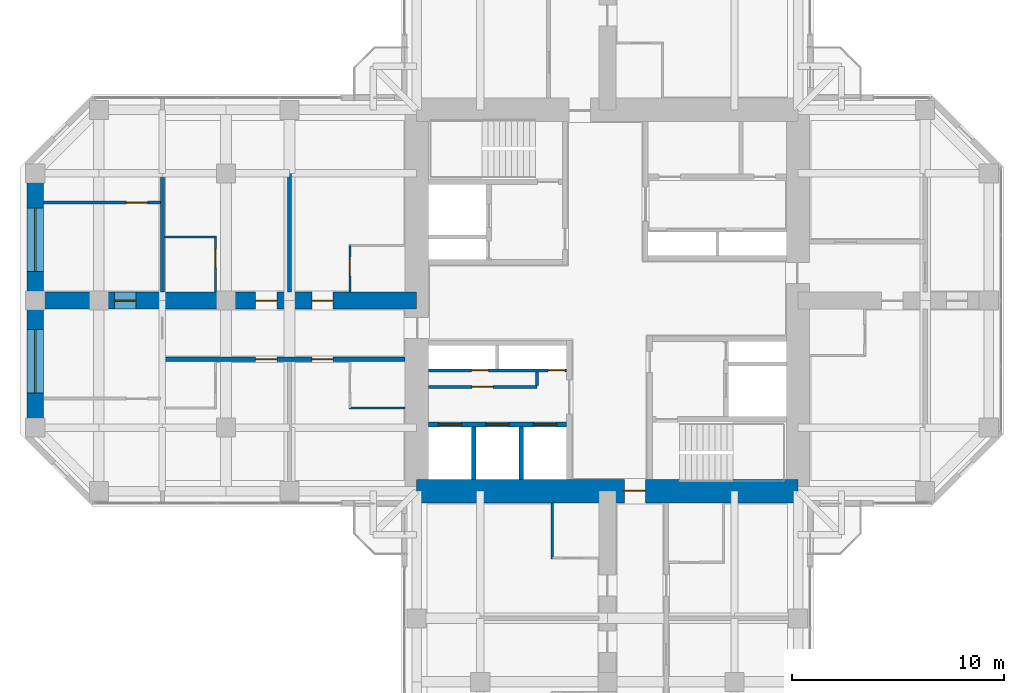
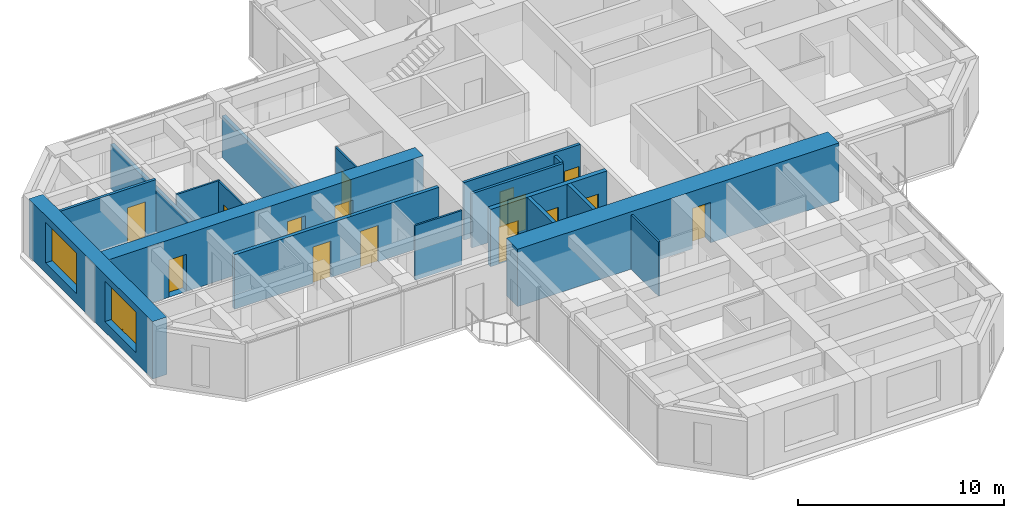
# One storey, part 9 of 13: 18 walls, 15 doors, 2 windows, 17 openings.
"""IFC4 building model written with IfcOpenShell, lengths in metres."""

from ifc_helpers import new_model, si_unit, direction, frame, frame_2d, origin, place, context, subcontext, project, spatial, rectangle, hollow_rectangle, extrude, material, layer, layer_set, constituent, constituent_set, type_object, element, fill, save


model = new_model("IFC4")

# Units and contexts
model_context = context("Model", 3, precision=1e-05, world=origin(), true_north=direction((0.0, 1.0)))
body_context = subcontext(model_context, "Body", "Model", "MODEL_VIEW")
ifc_project = project(units=[si_unit("LENGTHUNIT", "METRE"), si_unit("AREAUNIT", "SQUARE_METRE"), si_unit("VOLUMEUNIT", "CUBIC_METRE"), si_unit("PLANEANGLEUNIT", "RADIAN"), si_unit("MASSUNIT", "GRAM", prefix="KILO")], contexts=[model_context])

# Site, building, storey
site_placement = place(None, origin())
site = spatial("IfcSite", under=ifc_project, at=site_placement, CompositionType="ELEMENT")
building_placement = place(site_placement, origin())
building = spatial("IfcBuilding", under=site, at=building_placement, Name="Torre Cruceta", CompositionType="ELEMENT")
storey_placement = place(building_placement, frame((0.0, 0.0, 196.699951171875)))
storey = spatial("IfcBuildingStorey", under=building, at=storey_placement, Name="L49", CompositionType="ELEMENT", Elevation=196.699951171875)

# Walls
ifc_material_1 = material(Name="Water-resistant plasterboard on steel studs", Category="steel")
ifc_layer_1 = layer(ifc_material_1, 0.10009765625)
ifc_layer_set_1 = layer_set([ifc_layer_1], Name="Water-resistant plasterboard on steel studs")
wall_type_1 = type_object("IfcWallType", Name="BATHROOM WALL 100", PredefinedType="PARTITIONING", material=ifc_layer_set_1)
for number, where, z_axis, x_axis, name in (
    (1, (-2.60009765625, -9.550048828125, 0.0), (0.0, 0.0, 1.0), (0.0, -1.0, 0.0), "PT4 L49-S-U1RBB"),
    (2, (-9.550048828125, -5.074951171875, 0.0), (0.0, 0.0, 1.0), (-1.0, 0.0, 0.0), "PT4 L49-W-U1LBB"),
):
    element("IfcWall", number, at=place(storey_placement, frame(where, z_axis=z_axis, x_axis=x_axis)), inside=storey, type_object=wall_type_1, Name=name, PredefinedType="PARTITIONING", context=body_context, shape_type="SweptSolid", body=[
        extrude(rectangle(XDim=2.64990234375, YDim=0.10009765625, at=frame_2d((1.324951171875, 0.0))), origin(), (0.0, 0.0, 1.0), 3.219970703125),
    ])

# Wall, opening, door
wall_1_placement = place(storey_placement, frame((-12.14990234375, 2.60009765625, 0.0), z_axis=(0.0, 0.0, 1.0), x_axis=(0.0, -1.0, 0.0)))
wall_1 = element("IfcWall", 3, at=wall_1_placement, inside=storey, type_object=wall_type_1, Name="PT4 L49-W-U1RBS", PredefinedType="PARTITIONING", context=body_context, shape_type="SweptSolid", body=[
    extrude(rectangle(XDim=2.2001953125, YDim=0.10009765625, at=frame_2d((1.10009765625, 0.0))), origin(), (0.0, 0.0, 1.0), 3.219970703125),
])
opening_1_placement = place(wall_1_placement, frame((0.550048828125, 0.0, 0.0)))
opening_1 = element("IfcOpeningElement", 4, at=opening_1_placement, cuts=wall_1, Name="Opening D7", PredefinedType="OPENING", context=body_context, shape_type="SweptSolid", body=[
    extrude(rectangle(XDim=0.89990234375, YDim=2.10009765625, at=frame_2d((0.449951171875, 1.050048828125))), frame((0.0, 0.06005859375, 0.0), z_axis=(0.0, -1.0, 0.0), x_axis=(1.0, 0.0, 0.0)), (0.0, 0.0, 1.0), 0.1201171875),
])
ifc_material_2 = material(Name="Timber door", Category="wood")
door_type_1 = type_object("IfcDoorType", Name="BATHROOM DOOR 900X2100", OperationType="SINGLE_SWING_LEFT", PredefinedType="DOOR", material=ifc_material_2)
door_1_placement = place(opening_1_placement, origin())
door_1 = element("IfcDoor", 5, at=door_1_placement, inside=storey, type_object=door_type_1, Name="D7 L49-W-U1RBS-D1", OperationType="SINGLE_SWING_LEFT", OverallHeight=2.10009765625, OverallWidth=0.89990234375, PredefinedType="DOOR", context=body_context, shape_type="SweptSolid", body=[
    extrude(rectangle(XDim=0.89990234375, YDim=2.10009765625, at=frame_2d((0.449951171875, 1.050048828125))), frame((0.0, 0.02490234375, 0.0), z_axis=(0.0, -1.0, 0.0), x_axis=(1.0, 0.0, 0.0)), (0.0, 0.0, 1.0), 0.050048828125),
])
fill(opening_1, door_1)

# Wall
wall_2_placement = place(storey_placement, frame((-18.449951171875, 3.0, 0.0), z_axis=(0.0, 0.0, 1.0), x_axis=(-1.0, 0.0, 0.0)))
element("IfcWall", 6, at=wall_2_placement, inside=storey, type_object=wall_type_1, Name="PT4 L49-W-U2RBB", PredefinedType="PARTITIONING", context=body_context, shape_type="SweptSolid", body=[
    extrude(rectangle(XDim=2.449951171875, YDim=0.10009765625, at=frame_2d((1.22509765625, 0.0))), origin(), (0.0, 0.0, 1.0), 3.219970703125),
])

# Wall, opening, door
wall_3_placement = place(storey_placement, frame((-18.5, 3.0, 0.0), z_axis=(0.0, 0.0, 1.0), x_axis=(0.0, -1.0, 0.0)))
wall_3 = element("IfcWall", 7, at=wall_3_placement, inside=storey, type_object=wall_type_1, Name="PT4 L49-W-U2RBS", PredefinedType="PARTITIONING", context=body_context, shape_type="SweptSolid", body=[
    extrude(rectangle(XDim=2.60009765625, YDim=0.10009765625, at=frame_2d((1.300048828125, 0.0))), origin(), (0.0, 0.0, 1.0), 3.219970703125),
])
opening_2_placement = place(wall_3_placement, frame((0.550048828125, 0.0, 0.0)))
opening_2 = element("IfcOpeningElement", 8, at=opening_2_placement, cuts=wall_3, Name="Opening D7", PredefinedType="OPENING", context=body_context, shape_type="SweptSolid", body=[
    extrude(rectangle(XDim=0.89990234375, YDim=2.10009765625, at=frame_2d((0.449951171875, 1.050048828125))), frame((0.0, 0.06005859375, 0.0), z_axis=(0.0, -1.0, 0.0), x_axis=(1.0, 0.0, 0.0)), (0.0, 0.0, 1.0), 0.1201171875),
])
door_2_placement = place(opening_2_placement, frame((0.89990234375, 0.0, 0.0), z_axis=(0.0, 0.0, 1.0), x_axis=(-1.0, 0.0, 0.0)))
door_2 = element("IfcDoor", 9, at=door_2_placement, inside=storey, type_object=door_type_1, Name="D7 L49-W-U2RBS-D1", OperationType="SINGLE_SWING_RIGHT", OverallHeight=2.10009765625, OverallWidth=0.89990234375, PredefinedType="DOOR", context=body_context, shape_type="SweptSolid", body=[
    extrude(rectangle(XDim=0.89990234375, YDim=2.10009765625, at=frame_2d((0.449951171875, 1.050048828125))), frame((0.0, 0.025146484375, 0.0), z_axis=(0.0, -1.0, 0.0), x_axis=(1.0, 0.0, 0.0)), (0.0, 0.0, 1.0), 0.050048828125),
])
fill(opening_2, door_2)

# Wall, openings, doors
ifc_material_3 = material(Name="Concrete G60 (fck 60 MPa)", Category="concrete")
ifc_layer_2 = layer(ifc_material_3, 0.25)
ifc_layer_set_2 = layer_set([ifc_layer_2], Name="Concrete G60 (fck 60 MPa)")
wall_type_2 = type_object("IfcWallType", Name="CORE INNER WALL 250 G60", PredefinedType="SHEAR", material=ifc_layer_set_2)
wall_4_placement = place(storey_placement, frame((-1.925048828125, -5.85009765625, 0.0), z_axis=(0.0, 0.0, 1.0), x_axis=(-1.0, 0.0, 0.0)))
wall_4 = element("IfcWall", 10, at=wall_4_placement, inside=storey, type_object=wall_type_2, Name="CW4 L49 SW-LV", PredefinedType="SHEAR", context=body_context, shape_type="SweptSolid", body=[
    extrude(rectangle(XDim=6.52490234375, YDim=0.25, at=frame_2d((3.262451171875, 0.0))), origin(), (0.0, 0.0, 1.0), 3.400146484375),
])
opening_3_placement = place(wall_4_placement, frame((0.470947265625, 0.0, 0.0)))
opening_3 = element("IfcOpeningElement", 11, at=opening_3_placement, cuts=wall_4, Name="Opening LD1", PredefinedType="OPENING", context=body_context, shape_type="SweptSolid", body=[
    extrude(rectangle(XDim=1.10009765625, YDim=2.199951171875, at=frame_2d((0.550048828125, 1.10009765625))), frame((0.0, 0.135009765625, 0.0), z_axis=(0.0, -1.0, 0.0), x_axis=(1.0, 0.0, 0.0)), (0.0, 0.0, 1.0), 0.27001953125),
])
opening_4_placement = place(wall_4_placement, frame((2.71240234375, 0.0, 0.0)))
opening_4 = element("IfcOpeningElement", 12, at=opening_4_placement, cuts=wall_4, Name="Opening LD1", PredefinedType="OPENING", context=body_context, shape_type="SweptSolid", body=[
    extrude(rectangle(XDim=1.10009765625, YDim=2.199951171875, at=frame_2d((0.550048828125, 1.10009765625))), frame((0.0, 0.135009765625, 0.0), z_axis=(0.0, -1.0, 0.0), x_axis=(1.0, 0.0, 0.0)), (0.0, 0.0, 1.0), 0.27001953125),
])
opening_5_placement = place(wall_4_placement, frame((4.9541015625, 0.0, 0.0)))
opening_5 = element("IfcOpeningElement", 13, at=opening_5_placement, cuts=wall_4, Name="Opening LD1", PredefinedType="OPENING", context=body_context, shape_type="SweptSolid", body=[
    extrude(rectangle(XDim=1.10009765625, YDim=2.199951171875, at=frame_2d((0.550048828125, 1.10009765625))), frame((0.0, 0.135009765625, 0.0), z_axis=(0.0, -1.0, 0.0), x_axis=(1.0, 0.0, 0.0)), (0.0, 0.0, 1.0), 0.27001953125),
])
ifc_material_4 = material(Name="Stainless steel 1.4401", Category="steel")
door_type_2 = type_object("IfcDoorType", Name="LIFT LANDING DOOR 1100X2200", OperationType="DOUBLE_DOOR_SLIDING", PredefinedType="DOOR", material=ifc_material_4)
door_3_placement = place(opening_3_placement, origin())
door_3 = element("IfcDoor", 14, at=door_3_placement, inside=storey, type_object=door_type_2, Name="Lift landing door R1", OperationType="DOUBLE_DOOR_SLIDING", OverallHeight=2.199951171875, OverallWidth=1.10009765625, PredefinedType="DOOR", context=body_context, shape_type="SweptSolid", body=[
    extrude(rectangle(XDim=1.10009765625, YDim=2.199951171875, at=frame_2d((0.550048828125, 1.10009765625))), frame((0.0, 0.02490234375, 0.0), z_axis=(0.0, -1.0, 0.0), x_axis=(1.0, 0.0, 0.0)), (0.0, 0.0, 1.0), 0.050048828125),
])
fill(opening_3, door_3)
door_4_placement = place(opening_4_placement, origin())
door_4 = element("IfcDoor", 15, at=door_4_placement, inside=storey, type_object=door_type_2, Name="Lift landing door R2", OperationType="DOUBLE_DOOR_SLIDING", OverallHeight=2.199951171875, OverallWidth=1.10009765625, PredefinedType="DOOR", context=body_context, shape_type="SweptSolid", body=[
    extrude(rectangle(XDim=1.10009765625, YDim=2.199951171875, at=frame_2d((0.550048828125, 1.10009765625))), frame((0.0, 0.02490234375, 0.0), z_axis=(0.0, -1.0, 0.0), x_axis=(1.0, 0.0, 0.0)), (0.0, 0.0, 1.0), 0.050048828125),
])
fill(opening_4, door_4)
door_5_placement = place(opening_5_placement, origin())
door_5 = element("IfcDoor", 16, at=door_5_placement, inside=storey, type_object=door_type_2, Name="Lift landing door R3", OperationType="DOUBLE_DOOR_SLIDING", OverallHeight=2.199951171875, OverallWidth=1.10009765625, PredefinedType="DOOR", context=body_context, shape_type="SweptSolid", body=[
    extrude(rectangle(XDim=1.10009765625, YDim=2.199951171875, at=frame_2d((0.550048828125, 1.10009765625))), frame((0.0, 0.02490234375, 0.0), z_axis=(0.0, -1.0, 0.0), x_axis=(1.0, 0.0, 0.0)), (0.0, 0.0, 1.0), 0.050048828125),
])
fill(opening_5, door_5)

# Wall, opening, door
ifc_material_5 = material(Name="Concrete G60 (fck 60 MPa)", Category="concrete")
ifc_layer_3 = layer(ifc_material_5, 1.10009765625)
ifc_layer_set_3 = layer_set([ifc_layer_3], Name="Concrete G60 (fck 60 MPa)")
wall_type_3 = type_object("IfcWallType", Name="CORE WALL 1100 G60", PredefinedType="SHEAR", material=ifc_layer_set_3)
wall_5_placement = place(storey_placement, frame((-9.0, -9.0, 0.0), z_axis=(0.0, 0.0, 1.0), x_axis=(1.0, 0.0, 0.0)))
wall_5 = element("IfcWall", 17, at=wall_5_placement, inside=storey, type_object=wall_type_3, Name="CW2 L49 CW-S", PredefinedType="SHEAR", context=body_context, shape_type="SweptSolid", body=[
    extrude(rectangle(XDim=18.0, YDim=1.10009765625, at=frame_2d((9.0, 0.0))), origin(), (0.0, 0.0, 1.0), 3.400146484375),
])
opening_6_placement = place(wall_5_placement, frame((9.800048828125, 0.0, 0.0)))
opening_6 = element("IfcOpeningElement", 18, at=opening_6_placement, cuts=wall_5, Name="Opening D4", PredefinedType="OPENING", context=body_context, shape_type="SweptSolid", body=[
    extrude(rectangle(XDim=1.0, YDim=2.39990234375, at=frame_2d((0.5, 1.199951171875))), frame((0.0, 0.56005859375, 0.0), z_axis=(0.0, -1.0, 0.0), x_axis=(1.0, 0.0, 0.0)), (0.0, 0.0, 1.0), 1.1201171875),
])
ifc_material_6 = material(Name="Steel DX51D", Category="steel")
ifc_constituent_1 = constituent(ifc_material_6, Name="Leaf and frame")
ifc_material_7 = material(Name="Polyester powder coating", Category="paint")
ifc_constituent_2 = constituent(ifc_material_7, Name="Finish")
ifc_constituent_set_1 = constituent_set(constituents=[ifc_constituent_1, ifc_constituent_2], Name="Steel fire door")
door_type_3 = type_object("IfcDoorType", Name="CORE ARM DOOR 1000X2400", OperationType="SINGLE_SWING_RIGHT", PredefinedType="DOOR", material=ifc_constituent_set_1)
door_6_placement = place(opening_6_placement, origin())
door_6 = element("IfcDoor", 19, at=door_6_placement, inside=storey, type_object=door_type_3, Name="D4 L49 CW-S", OperationType="SINGLE_SWING_RIGHT", OverallHeight=2.39990234375, OverallWidth=1.0, PredefinedType="DOOR", context=body_context, shape_type="SweptSolid", body=[
    extrude(rectangle(XDim=1.0, YDim=2.39990234375, at=frame_2d((0.5, 1.199951171875))), frame((0.0, 0.05517578125, 0.0), z_axis=(0.0, -1.0, 0.0), x_axis=(1.0, 0.0, 0.0)), (0.0, 0.0, 1.0), 0.050048828125),
])
fill(opening_6, door_6)

# Wall, openings, doors
ifc_material_8 = material(Name="Concrete G25 (fck 25 MPa)", Category="concrete")
ifc_layer_4 = layer(ifc_material_8, 0.199951171875)
ifc_layer_set_4 = layer_set([ifc_layer_4], Name="Concrete G25 (fck 25 MPa)")
wall_type_4 = type_object("IfcWallType", Name="CORRIDOR WALL 200", PredefinedType="SOLIDWALL", material=ifc_layer_set_4)
wall_6_placement = place(storey_placement, frame((-9.550048828125, -2.77490234375, 0.0), z_axis=(0.0, 0.0, 1.0), x_axis=(-1.0, 0.0, 0.0)))
wall_6 = element("IfcWall", 20, at=wall_6_placement, inside=storey, type_object=wall_type_4, Name="PT3 L49-W-CL", PredefinedType="SOLIDWALL", context=body_context, shape_type="SweptSolid", body=[
    extrude(rectangle(XDim=11.449951171875, YDim=0.199951171875, at=frame_2d((5.72509765625, 0.0))), origin(), (0.0, 0.0, 1.0), 3.219970703125),
])
opening_7_placement = place(wall_6_placement, frame((3.39990234375, 0.0, 0.0)))
opening_7 = element("IfcOpeningElement", 21, at=opening_7_placement, cuts=wall_6, Name="Opening D6", PredefinedType="OPENING", context=body_context, shape_type="SweptSolid", body=[
    extrude(rectangle(XDim=1.0, YDim=2.14990234375, at=frame_2d((0.5, 1.074951171875))), frame((0.0, 0.10986328125, 0.0), z_axis=(0.0, -1.0, 0.0), x_axis=(1.0, 0.0, 0.0)), (0.0, 0.0, 1.0), 0.219970703125),
])
opening_8_placement = place(wall_6_placement, frame((6.050048828125, 0.0, 0.0)))
opening_8 = element("IfcOpeningElement", 22, at=opening_8_placement, cuts=wall_6, Name="Opening D6", PredefinedType="OPENING", context=body_context, shape_type="SweptSolid", body=[
    extrude(rectangle(XDim=1.0, YDim=2.14990234375, at=frame_2d((0.5, 1.074951171875))), frame((0.0, 0.10986328125, 0.0), z_axis=(0.0, -1.0, 0.0), x_axis=(1.0, 0.0, 0.0)), (0.0, 0.0, 1.0), 0.219970703125),
])
ifc_material_9 = material(Name="Timber fire door", Category="wood")
door_type_4 = type_object("IfcDoorType", Name="UNIT ENTRANCE DOOR 1000X2150", OperationType="SINGLE_SWING_LEFT", PredefinedType="DOOR", material=ifc_material_9)
door_7_placement = place(opening_7_placement, origin())
door_7 = element("IfcDoor", 23, at=door_7_placement, inside=storey, type_object=door_type_4, Name="D6 L49-W-CL-D1", OperationType="SINGLE_SWING_LEFT", OverallHeight=2.14990234375, OverallWidth=1.0, PredefinedType="DOOR", context=body_context, shape_type="SweptSolid", body=[
    extrude(rectangle(XDim=1.0, YDim=2.14990234375, at=frame_2d((0.5, 1.074951171875))), frame((0.0, 0.02490234375, 0.0), z_axis=(0.0, -1.0, 0.0), x_axis=(1.0, 0.0, 0.0)), (0.0, 0.0, 1.0), 0.050048828125),
])
fill(opening_7, door_7)
door_8_placement = place(opening_8_placement, origin())
door_8 = element("IfcDoor", 24, at=door_8_placement, inside=storey, type_object=door_type_4, Name="D6 L49-W-CL-D2", OperationType="SINGLE_SWING_LEFT", OverallHeight=2.14990234375, OverallWidth=1.0, PredefinedType="DOOR", context=body_context, shape_type="SweptSolid", body=[
    extrude(rectangle(XDim=1.0, YDim=2.14990234375, at=frame_2d((0.5, 1.074951171875))), frame((0.0, 0.02490234375, 0.0), z_axis=(0.0, -1.0, 0.0), x_axis=(1.0, 0.0, 0.0)), (0.0, 0.0, 1.0), 0.050048828125),
])
fill(opening_8, door_8)

# Walls
ifc_material_10 = material(Name="Concrete G35 (fck 35 MPa)", Category="concrete")
ifc_layer_5 = layer(ifc_material_10, 0.199951171875)
ifc_layer_set_5 = layer_set([ifc_layer_5], Name="Concrete G35 (fck 35 MPa)")
wall_type_5 = type_object("IfcWallType", Name="LIFT SHAFT WALL 200", PredefinedType="PARTITIONING", material=ifc_layer_set_5)
for number, where, z_axis, x_axis, name in (
    (25, (-4.066650390625, -5.97509765625, 0.0), (0.0, 0.0, 1.0), (0.0, -1.0, 0.0), "SW1 L49 SW-LS1"),
    (26, (-6.308349609375, -5.97509765625, 0.0), (0.0, 0.0, 1.0), (0.0, -1.0, 0.0), "SW1 L49 SW-LS2"),
):
    element("IfcWall", number, at=place(storey_placement, frame(where, z_axis=z_axis, x_axis=x_axis)), inside=storey, type_object=wall_type_5, Name=name, PredefinedType="PARTITIONING", context=body_context, shape_type="SweptSolid", body=[
        extrude(rectangle(XDim=2.474853515625, YDim=0.199951171875, at=frame_2d((1.2373046875, 0.0))), origin(), (0.0, 0.0, 1.0), 3.400146484375),
    ])

# Wall, openings, windows
ifc_material_11 = material(Name="Concrete G60 (fck 60 MPa)", Category="concrete")
ifc_layer_6 = layer(ifc_material_11, 0.800048828125)
ifc_layer_set_6 = layer_set([ifc_layer_6], Name="Concrete G60 (fck 60 MPa)")
wall_type_6 = type_object("IfcWallType", Name="NOSE WALL 800 G60", PredefinedType="SHEAR", material=ifc_layer_set_6)
wall_7_placement = place(storey_placement, frame((-27.0, 6.0, 0.0), z_axis=(0.0, 0.0, 1.0), x_axis=(0.0, -1.0, 0.0)))
wall_7 = element("IfcWall", 27, at=wall_7_placement, inside=storey, type_object=wall_type_6, Name="NW2 nose wall L49 W", PredefinedType="SHEAR", context=body_context, shape_type="SweptSolid", body=[
    extrude(rectangle(XDim=12.0, YDim=0.800048828125, at=frame_2d((6.0, 0.0))), origin(), (0.0, 0.0, 1.0), 3.400146484375),
])
opening_9_placement = place(wall_7_placement, frame((1.625, 0.0, 0.60009765625)))
opening_9 = element("IfcOpeningElement", 28, at=opening_9_placement, cuts=wall_7, Name="Opening WN6", PredefinedType="OPENING", context=body_context, shape_type="SweptSolid", body=[
    extrude(rectangle(XDim=3.0, YDim=2.39990234375, at=frame_2d((1.5, 1.199951171875))), frame((0.0, 0.409912109375, 0.0), z_axis=(0.0, -1.0, 0.0), x_axis=(1.0, 0.0, 0.0)), (0.0, 0.0, 1.0), 0.820068359375),
])
opening_10_placement = place(wall_7_placement, frame((7.375, 0.0, 0.60009765625)))
opening_10 = element("IfcOpeningElement", 29, at=opening_10_placement, cuts=wall_7, Name="Opening WN6", PredefinedType="OPENING", context=body_context, shape_type="SweptSolid", body=[
    extrude(rectangle(XDim=3.0, YDim=2.39990234375, at=frame_2d((1.5, 1.199951171875))), frame((0.0, 0.409912109375, 0.0), z_axis=(0.0, -1.0, 0.0), x_axis=(1.0, 0.0, 0.0)), (0.0, 0.0, 1.0), 0.820068359375),
])
ifc_material_12 = material(Name="Aluminium window frame", Category="aluminium")
ifc_constituent_3 = constituent(ifc_material_12, Name="Frame")
ifc_material_13 = material(Name="Laminated insulating glass unit, low-iron clear", Category="glass")
ifc_constituent_4 = constituent(ifc_material_13, Name="Glazing")
ifc_constituent_set_2 = constituent_set(constituents=[ifc_constituent_3, ifc_constituent_4], Name="Aluminium window")
window_type = type_object("IfcWindowType", Name="NOSE WALL WINDOW 3000X2400", PartitioningType="SINGLE_PANEL", PredefinedType="WINDOW", material=ifc_constituent_set_2)
window_1_placement = place(opening_9_placement, origin())
window_1 = element("IfcWindow", 30, at=window_1_placement, inside=storey, type_object=window_type, Name="WN6 L49 W 1", OverallHeight=2.39990234375, OverallWidth=3.0, PartitioningType="SINGLE_PANEL", PredefinedType="WINDOW", context=body_context, shape_type="SweptSolid", body=[
    extrude(hollow_rectangle(XDim=3.0, YDim=2.39990234375, WallThickness=0.06005859375, at=frame_2d((1.5, 1.199951171875))), frame((0.0, 0.030029296875, 0.0), z_axis=(0.0, -1.0, 0.0), x_axis=(1.0, 0.0, 0.0)), (0.0, 0.0, 1.0), 0.06005859375),
    extrude(rectangle(XDim=2.87890625, YDim=2.27880859375, at=frame_2d((1.5, 1.199951171875))), frame((0.0, 0.030029296875, 0.0), z_axis=(0.0, -1.0, 0.0), x_axis=(1.0, 0.0, 0.0)), (0.0, 0.0, 1.0), 0.06005859375),
])
fill(opening_9, window_1)
window_2_placement = place(opening_10_placement, origin())
window_2 = element("IfcWindow", 31, at=window_2_placement, inside=storey, type_object=window_type, Name="WN6 L49 W 2", OverallHeight=2.39990234375, OverallWidth=3.0, PartitioningType="SINGLE_PANEL", PredefinedType="WINDOW", context=body_context, shape_type="SweptSolid", body=[
    extrude(hollow_rectangle(XDim=3.0, YDim=2.39990234375, WallThickness=0.06005859375, at=frame_2d((1.5, 1.199951171875))), frame((0.0, 0.030029296875, 0.0), z_axis=(0.0, -1.0, 0.0), x_axis=(1.0, 0.0, 0.0)), (0.0, 0.0, 1.0), 0.06005859375),
    extrude(rectangle(XDim=2.87890625, YDim=2.27880859375, at=frame_2d((1.5, 1.199951171875))), frame((0.0, 0.030029296875, 0.0), z_axis=(0.0, -1.0, 0.0), x_axis=(1.0, 0.0, 0.0)), (0.0, 0.0, 1.0), 0.06005859375),
])
fill(opening_10, window_2)

# Wall, opening, door
ifc_material_14 = material(Name="Plasterboard on steel studs", Category="steel")
ifc_layer_7 = layer(ifc_material_14, 0.14990234375)
ifc_layer_set_7 = layer_set([ifc_layer_7], Name="Plasterboard on steel studs")
wall_type_7 = type_object("IfcWallType", Name="PARTITION 150", PredefinedType="PARTITIONING", material=ifc_layer_set_7)
wall_8_placement = place(storey_placement, frame((-3.324951171875, -4.074951171875, 0.0), z_axis=(0.0, 0.0, 1.0), x_axis=(-1.0, 0.0, 0.0)))
wall_8 = element("IfcWall", 32, at=wall_8_placement, inside=storey, type_object=wall_type_7, Name="PT1 L49-CORE-SW-CUPBOARD", PredefinedType="PARTITIONING", context=body_context, shape_type="SweptSolid", body=[
    extrude(rectangle(XDim=5.125, YDim=0.14990234375, at=frame_2d((2.5625, 0.0))), origin(), (0.0, 0.0, 1.0), 3.219970703125),
])
opening_11_placement = place(wall_8_placement, frame((2.0625, 0.0, 0.0)))
opening_11 = element("IfcOpeningElement", 33, at=opening_11_placement, cuts=wall_8, Name="Opening D19", PredefinedType="OPENING", context=body_context, shape_type="SweptSolid", body=[
    extrude(rectangle(XDim=1.0, YDim=2.10009765625, at=frame_2d((0.5, 1.050048828125))), frame((0.0, 0.0849609375, 0.0), z_axis=(0.0, -1.0, 0.0), x_axis=(1.0, 0.0, 0.0)), (0.0, 0.0, 1.0), 0.169921875),
])
ifc_material_15 = material(Name="Timber fire door", Category="wood")
door_type_5 = type_object("IfcDoorType", Name="CUPBOARD PAIR OF DOORS 1000X2100", OperationType="DOUBLE_DOOR_SINGLE_SWING", PredefinedType="DOOR", material=ifc_material_15)
door_9_placement = place(opening_11_placement, frame((1.0, 0.0, 0.0), z_axis=(0.0, 0.0, 1.0), x_axis=(-1.0, 0.0, 0.0)))
door_9 = element("IfcDoor", 34, at=door_9_placement, inside=storey, type_object=door_type_5, Name="D19 L49-CORE-SW-CUPBOARD-D1", OperationType="DOUBLE_DOOR_SINGLE_SWING", OverallHeight=2.10009765625, OverallWidth=1.0, PredefinedType="DOOR", context=body_context, shape_type="SweptSolid", body=[
    extrude(rectangle(XDim=1.0, YDim=2.10009765625, at=frame_2d((0.5, 1.050048828125))), frame((0.0, 0.025146484375, 0.0), z_axis=(0.0, -1.0, 0.0), x_axis=(1.0, 0.0, 0.0)), (0.0, 0.0, 1.0), 0.050048828125),
])
fill(opening_11, door_9)

# Wall
wall_9_placement = place(storey_placement, frame((-3.324951171875, -3.375, 0.0), z_axis=(0.0, 0.0, 1.0), x_axis=(0.0, -1.0, 0.0)))
element("IfcWall", 35, at=wall_9_placement, inside=storey, type_object=wall_type_7, Name="PT1 L49-CORE-SW-CUPBOARDE", PredefinedType="PARTITIONING", context=body_context, shape_type="SweptSolid", body=[
    extrude(rectangle(XDim=0.625, YDim=0.14990234375, at=frame_2d((0.3125, 0.0))), origin(), (0.0, 0.0, 1.0), 3.219970703125),
])

# Wall, opening, door
wall_10_placement = place(storey_placement, frame((-21.10009765625, 4.625, 0.0), z_axis=(0.0, 0.0, 1.0), x_axis=(-1.0, 0.0, 0.0)))
wall_10 = element("IfcWall", 36, at=wall_10_placement, inside=storey, type_object=wall_type_7, Name="PT1 L49-W-END2X", PredefinedType="PARTITIONING", context=body_context, shape_type="SweptSolid", body=[
    extrude(rectangle(XDim=5.5, YDim=0.14990234375, at=frame_2d((2.75, 0.0))), origin(), (0.0, 0.0, 1.0), 3.219970703125),
])
opening_12_placement = place(wall_10_placement, frame((0.60009765625, 0.0, 0.0)))
opening_12 = element("IfcOpeningElement", 37, at=opening_12_placement, cuts=wall_10, Name="Opening D3", PredefinedType="OPENING", context=body_context, shape_type="SweptSolid", body=[
    extrude(rectangle(XDim=1.0, YDim=2.10009765625, at=frame_2d((0.5, 1.050048828125))), frame((0.0, 0.0849609375, 0.0), z_axis=(0.0, -1.0, 0.0), x_axis=(1.0, 0.0, 0.0)), (0.0, 0.0, 1.0), 0.169921875),
])
ifc_material_16 = material(Name="Steel DX51D", Category="steel")
ifc_constituent_5 = constituent(ifc_material_16, Name="Leaf and frame")
ifc_material_17 = material(Name="Polyester powder coating", Category="paint")
ifc_constituent_6 = constituent(ifc_material_17, Name="Finish")
ifc_constituent_set_3 = constituent_set(constituents=[ifc_constituent_5, ifc_constituent_6], Name="Steel fire door")
door_type_6 = type_object("IfcDoorType", Name="FIRE DOOR 1000X2100", OperationType="SINGLE_SWING_LEFT", PredefinedType="DOOR", material=ifc_constituent_set_3)
door_10_placement = place(opening_12_placement, frame((1.0, 0.0, 0.0), z_axis=(0.0, 0.0, 1.0), x_axis=(-1.0, 0.0, 0.0)))
door_10 = element("IfcDoor", 38, at=door_10_placement, inside=storey, type_object=door_type_6, Name="D3 L49-W-END2X-D1", OperationType="SINGLE_SWING_RIGHT", OverallHeight=2.10009765625, OverallWidth=1.0, PredefinedType="DOOR", context=body_context, shape_type="SweptSolid", body=[
    extrude(rectangle(XDim=1.0, YDim=2.10009765625, at=frame_2d((0.5, 1.050048828125))), frame((0.0, 0.025146484375, 0.0), z_axis=(0.0, -1.0, 0.0), x_axis=(1.0, 0.0, 0.0)), (0.0, 0.0, 1.0), 0.050048828125),
])
fill(opening_12, door_10)

# Wall, openings, doors
ifc_material_18 = material(Name="Concrete block masonry", Category="masonry")
ifc_layer_8 = layer(ifc_material_18, 0.14990234375)
ifc_layer_set_8 = layer_set([ifc_layer_8], Name="Concrete block masonry")
wall_type_8 = type_object("IfcWallType", Name="RISER WALL 150", PredefinedType="PARTITIONING", material=ifc_layer_set_8)
wall_11_placement = place(storey_placement, frame((-1.925048828125, -3.300048828125, 0.0), z_axis=(0.0, 0.0, 1.0), x_axis=(-1.0, 0.0, 0.0)))
wall_11 = element("IfcWall", 39, at=wall_11_placement, inside=storey, type_object=wall_type_8, Name="SW7 L49 SW-RV", PredefinedType="PARTITIONING", context=body_context, shape_type="SweptSolid", body=[
    extrude(rectangle(XDim=6.52490234375, YDim=0.14990234375, at=frame_2d((3.262451171875, 0.0))), origin(), (0.0, 0.0, 1.0), 3.400146484375),
])
opening_13_placement = place(wall_11_placement, frame((0.074951171875, 0.0, 0.0)))
opening_13 = element("IfcOpeningElement", 40, at=opening_13_placement, cuts=wall_11, Name="Opening D5", PredefinedType="OPENING", context=body_context, shape_type="SweptSolid", body=[
    extrude(rectangle(XDim=0.800048828125, YDim=2.10009765625, at=frame_2d((0.39990234375, 1.050048828125))), frame((0.0, 0.0849609375, 0.0), z_axis=(0.0, -1.0, 0.0), x_axis=(1.0, 0.0, 0.0)), (0.0, 0.0, 1.0), 0.169921875),
])
opening_14_placement = place(wall_11_placement, frame((3.675048828125, 0.0, 0.0)))
opening_14 = element("IfcOpeningElement", 41, at=opening_14_placement, cuts=wall_11, Name="Opening D5", PredefinedType="OPENING", context=body_context, shape_type="SweptSolid", body=[
    extrude(rectangle(XDim=0.800048828125, YDim=2.10009765625, at=frame_2d((0.39990234375, 1.050048828125))), frame((0.0, 0.0849609375, 0.0), z_axis=(0.0, -1.0, 0.0), x_axis=(1.0, 0.0, 0.0)), (0.0, 0.0, 1.0), 0.169921875),
])
ifc_material_19 = material(Name="Steel DX51D", Category="steel")
ifc_constituent_7 = constituent(ifc_material_19, Name="Leaf and frame")
ifc_material_20 = material(Name="Polyester powder coating", Category="paint")
ifc_constituent_8 = constituent(ifc_material_20, Name="Finish")
ifc_constituent_set_4 = constituent_set(constituents=[ifc_constituent_7, ifc_constituent_8], Name="Steel fire door")
door_type_7 = type_object("IfcDoorType", Name="RISER ACCESS DOOR 800X2100", OperationType="SINGLE_SWING_LEFT", PredefinedType="DOOR", material=ifc_constituent_set_4)
door_11_placement = place(opening_13_placement, frame((0.800048828125, 0.0, 0.0), z_axis=(0.0, 0.0, 1.0), x_axis=(-1.0, 0.0, 0.0)))
door_11 = element("IfcDoor", 42, at=door_11_placement, inside=storey, type_object=door_type_7, Name="D5 L49 SW-RISER1", OperationType="SINGLE_SWING_RIGHT", OverallHeight=2.10009765625, OverallWidth=0.800048828125, PredefinedType="DOOR", context=body_context, shape_type="SweptSolid", body=[
    extrude(rectangle(XDim=0.800048828125, YDim=2.10009765625, at=frame_2d((0.400146484375, 1.050048828125))), frame((0.0, 0.025146484375, 0.0), z_axis=(0.0, -1.0, 0.0), x_axis=(1.0, 0.0, 0.0)), (0.0, 0.0, 1.0), 0.050048828125),
])
fill(opening_13, door_11)
door_12_placement = place(opening_14_placement, frame((0.800048828125, 0.0, 0.0), z_axis=(0.0, 0.0, 1.0), x_axis=(-1.0, 0.0, 0.0)))
door_12 = element("IfcDoor", 43, at=door_12_placement, inside=storey, type_object=door_type_7, Name="D5 L49 SW-RISER2", OperationType="SINGLE_SWING_RIGHT", OverallHeight=2.10009765625, OverallWidth=0.800048828125, PredefinedType="DOOR", context=body_context, shape_type="SweptSolid", body=[
    extrude(rectangle(XDim=0.800048828125, YDim=2.10009765625, at=frame_2d((0.400146484375, 1.050048828125))), frame((0.0, 0.025146484375, 0.0), z_axis=(0.0, -1.0, 0.0), x_axis=(1.0, 0.0, 0.0)), (0.0, 0.0, 1.0), 0.050048828125),
])
fill(opening_14, door_12)

ifc_material_21 = material(Name="Concrete G60 (fck 60 MPa)", Category="concrete")
ifc_layer_9 = layer(ifc_material_21, 0.800048828125)
ifc_layer_set_9 = layer_set([ifc_layer_9], Name="Concrete G60 (fck 60 MPa)")
wall_type_9 = type_object("IfcWallType", Name="SPINE WALL 800 G60", PredefinedType="SHEAR", material=ifc_layer_set_9)
wall_12_placement = place(storey_placement, frame((-9.0, 0.0, 0.0), z_axis=(0.0, 0.0, 1.0), x_axis=(-1.0, 0.0, 0.0)))
wall_12 = element("IfcWall", 44, at=wall_12_placement, inside=storey, type_object=wall_type_9, Name="SW4 spine wall L49 W", PredefinedType="SHEAR", context=body_context, shape_type="SweptSolid", body=[
    extrude(rectangle(XDim=18.0, YDim=0.800048828125, at=frame_2d((9.0, 0.0))), origin(), (0.0, 0.0, 1.0), 3.400146484375),
])
opening_15_placement = place(wall_12_placement, frame((3.949951171875, 0.0, 0.0)))
opening_15 = element("IfcOpeningElement", 45, at=opening_15_placement, cuts=wall_12, Name="Opening D6", PredefinedType="OPENING", context=body_context, shape_type="SweptSolid", body=[
    extrude(rectangle(XDim=1.0, YDim=2.14990234375, at=frame_2d((0.5, 1.074951171875))), frame((0.0, 0.409912109375, 0.0), z_axis=(0.0, -1.0, 0.0), x_axis=(1.0, 0.0, 0.0)), (0.0, 0.0, 1.0), 0.820068359375),
])
opening_16_placement = place(wall_12_placement, frame((6.60009765625, 0.0, 0.0)))
opening_16 = element("IfcOpeningElement", 46, at=opening_16_placement, cuts=wall_12, Name="Opening D6", PredefinedType="OPENING", context=body_context, shape_type="SweptSolid", body=[
    extrude(rectangle(XDim=1.0, YDim=2.14990234375, at=frame_2d((0.5, 1.074951171875))), frame((0.0, 0.409912109375, 0.0), z_axis=(0.0, -1.0, 0.0), x_axis=(1.0, 0.0, 0.0)), (0.0, 0.0, 1.0), 0.820068359375),
])
opening_17_placement = place(wall_12_placement, frame((13.25, 0.0, 0.0)))
opening_17 = element("IfcOpeningElement", 47, at=opening_17_placement, cuts=wall_12, Name="Opening D14", PredefinedType="OPENING", context=body_context, shape_type="SweptSolid", body=[
    extrude(rectangle(XDim=1.0, YDim=2.199951171875, at=frame_2d((0.5, 1.10009765625))), frame((0.0, 0.409912109375, 0.0), z_axis=(0.0, -1.0, 0.0), x_axis=(1.0, 0.0, 0.0)), (0.0, 0.0, 1.0), 0.820068359375),
])
ifc_material_22 = material(Name="Steel DX51D", Category="steel")
ifc_constituent_9 = constituent(ifc_material_22, Name="Leaf and frame")
ifc_material_23 = material(Name="Polyester powder coating", Category="paint")
ifc_constituent_10 = constituent(ifc_material_23, Name="Finish")
ifc_material_24 = material(Name="Fire-resisting glass", Category="glass")
ifc_constituent_11 = constituent(ifc_material_24, Name="Vision panel")
ifc_constituent_set_5 = constituent_set(constituents=[ifc_constituent_9, ifc_constituent_10, ifc_constituent_11], Name="Steel fire door with vision panel")
door_type_8 = type_object("IfcDoorType", Name="FIRE DOOR VISION PANEL 1000X2200", OperationType="SINGLE_SWING_RIGHT", PredefinedType="DOOR", material=ifc_constituent_set_5)
door_13_placement = place(opening_17_placement, origin())
door_13 = element("IfcDoor", 48, at=door_13_placement, inside=storey, type_object=door_type_8, Name="D14 L49-W-SP3", OperationType="SINGLE_SWING_LEFT", OverallHeight=2.199951171875, OverallWidth=1.0, PredefinedType="DOOR", context=body_context, shape_type="SweptSolid", body=[
    extrude(rectangle(XDim=1.0, YDim=2.199951171875, at=frame_2d((0.5, 1.10009765625))), frame((0.0, 0.02490234375, 0.0), z_axis=(0.0, -1.0, 0.0), x_axis=(1.0, 0.0, 0.0)), (0.0, 0.0, 1.0), 0.050048828125),
])
fill(opening_17, door_13)
door_14_placement = place(opening_15_placement, frame((1.0, 0.0, 0.0), z_axis=(0.0, 0.0, 1.0), x_axis=(-1.0, 0.0, 0.0)))
door_14 = element("IfcDoor", 49, at=door_14_placement, inside=storey, type_object=door_type_4, Name="D6 L49-W-SP1", OperationType="SINGLE_SWING_RIGHT", OverallHeight=2.14990234375, OverallWidth=1.0, PredefinedType="DOOR", context=body_context, shape_type="SweptSolid", body=[
    extrude(rectangle(XDim=1.0, YDim=2.14990234375, at=frame_2d((0.5, 1.074951171875))), frame((0.0, 0.025146484375, 0.0), z_axis=(0.0, -1.0, 0.0), x_axis=(1.0, 0.0, 0.0)), (0.0, 0.0, 1.0), 0.050048828125),
])
fill(opening_15, door_14)
door_15_placement = place(opening_16_placement, frame((1.0, 0.0, 0.0), z_axis=(0.0, 0.0, 1.0), x_axis=(-1.0, 0.0, 0.0)))
door_15 = element("IfcDoor", 50, at=door_15_placement, inside=storey, type_object=door_type_4, Name="D6 L49-W-SP2", OperationType="SINGLE_SWING_RIGHT", OverallHeight=2.14990234375, OverallWidth=1.0, PredefinedType="DOOR", context=body_context, shape_type="SweptSolid", body=[
    extrude(rectangle(XDim=1.0, YDim=2.14990234375, at=frame_2d((0.5, 1.074951171875))), frame((0.0, 0.025146484375, 0.0), z_axis=(0.0, -1.0, 0.0), x_axis=(1.0, 0.0, 0.0)), (0.0, 0.0, 1.0), 0.050048828125),
])
fill(opening_16, door_15)

# Walls
ifc_material_25 = material(Name="Concrete G25 (fck 25 MPa)", Category="concrete")
ifc_layer_10 = layer(ifc_material_25, 0.199951171875)
ifc_layer_set_10 = layer_set([ifc_layer_10], Name="Concrete G25 (fck 25 MPa)")
wall_type_10 = type_object("IfcWallType", Name="UNIT SEPARATING WALL 200", PredefinedType="SOLIDWALL", material=ifc_layer_set_10)
wall_13_placement = place(storey_placement, frame((-15.0, 8.550048828125, 0.0), z_axis=(0.0, 0.0, 1.0), x_axis=(0.0, -1.0, 0.0)))
element("IfcWall", 51, at=wall_13_placement, inside=storey, type_object=wall_type_10, Name="PT2 L49-W-P1R", PredefinedType="SOLIDWALL", context=body_context, shape_type="SweptSolid", body=[
    extrude(rectangle(XDim=8.150146484375, YDim=0.199951171875, at=frame_2d((4.0751953125, 0.0))), origin(), (0.0, 0.0, 1.0), 2.469970703125),
])
wall_14_placement = place(storey_placement, frame((-21.0, 9.0, 0.0), z_axis=(0.0, 0.0, 1.0), x_axis=(0.0, -1.0, 0.0)))
element("IfcWall", 52, at=wall_14_placement, inside=storey, type_object=wall_type_10, Name="PT2 L49-W-ENDa 2", PredefinedType="SOLIDWALL", context=body_context, shape_type="SweptSolid", body=[
    extrude(rectangle(XDim=8.60009765625, YDim=0.199951171875, at=frame_2d((4.300048828125, 0.0))), origin(), (0.0, 0.0, 1.0), 2.6201171875),
])

save(model, "model.ifc")
